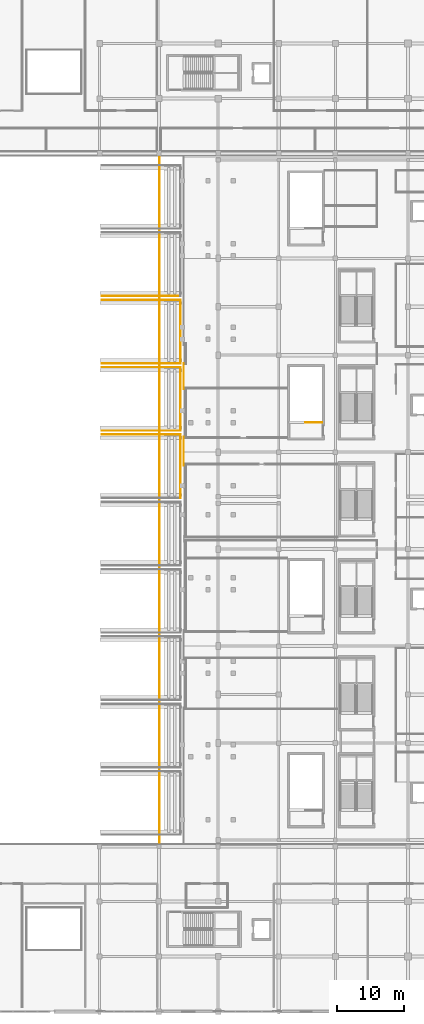
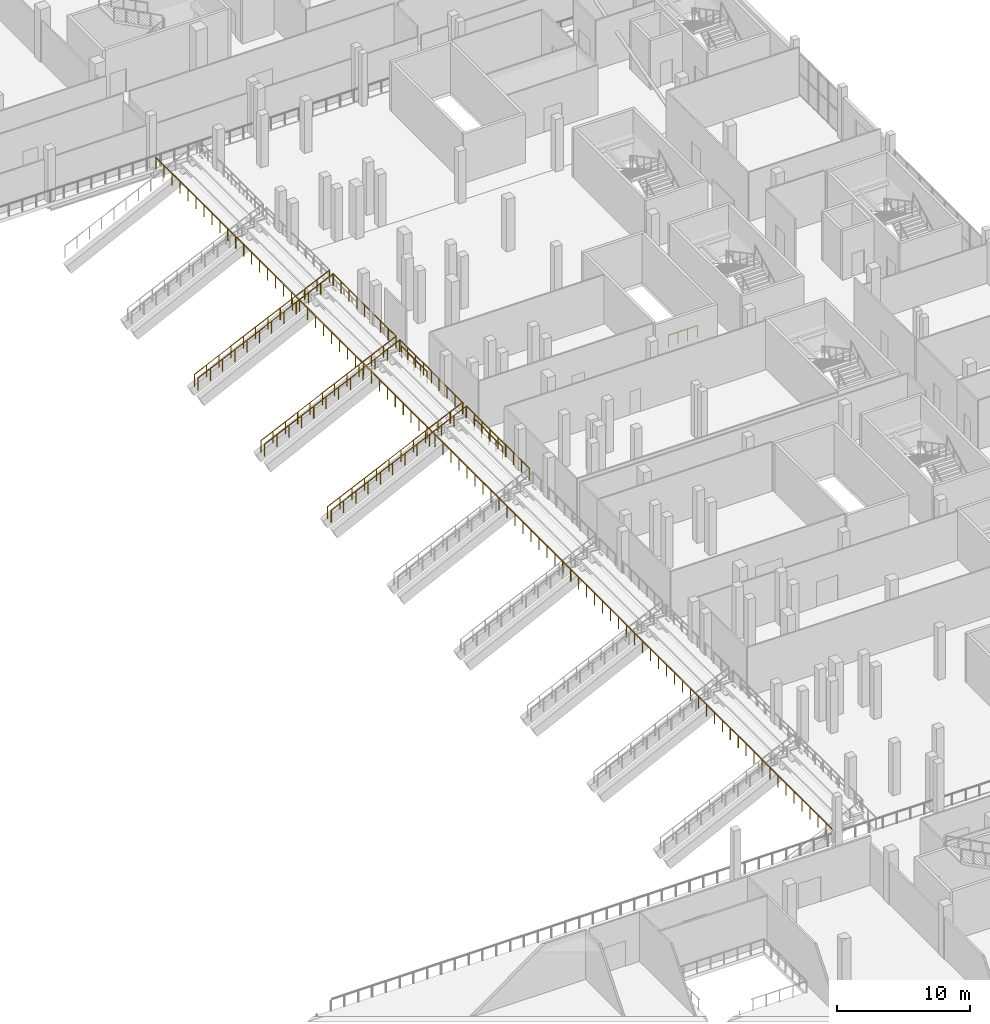
# One storey, part 119 of 129: 14 railings.
"""IFC4 building model written with IfcOpenShell, lengths in metres."""

import ifcopenshell
import ifcopenshell.guid

model = None  # the IFC model being written
_history = None  # IfcOwnerHistory: only IFC2X3 demands one
_inside = {}  # id of a spatial element -> (the spatial element, [elements in it])
_under = {}  # id of a project, library or spatial element -> (it, [spatial elements below it])
_declared = {}  # id of a project -> (the project, [libraries it declares])
_typed = {}  # id of a type object -> (the type object, [elements of that type])
_made_of = {}  # id of a material, layer set ... -> (it, [elements and type objects made of it])


def new_model(schema):
    """Start an empty IFC model of exactly this schema.

    Asked for "IFC4X3", IfcOpenShell would pick the latest addendum, in which some entities
    have other attributes; the version numbers below select the first issue.
    IFC2X3 requires an IfcOwnerHistory on every rooted entity: one is made here for all.
    """
    global model, _history
    if schema == "IFC4X3":
        model = ifcopenshell.file(schema_version=(4, 3, 0, 0))
    else:
        model = ifcopenshell.file(schema=schema)
    _inside.clear()
    _under.clear()
    _declared.clear()
    _typed.clear()
    _made_of.clear()
    _history = None
    if model.schema == "IFC2X3":
        org = make("IfcOrganization", Name="unknown")
        user = make(
            "IfcPersonAndOrganization",
            ThePerson=make("IfcPerson", FamilyName="unknown"),
            TheOrganization=org,
        )
        app = make(
            "IfcApplication",
            ApplicationDeveloper=org,
            Version="unknown",
            ApplicationFullName="unknown",
            ApplicationIdentifier="unknown",
        )
        _history = make(
            "IfcOwnerHistory",
            OwningUser=user,
            OwningApplication=app,
            ChangeAction="ADDED",
            CreationDate=0,
        )
    return model


def make(cls, **values):
    """One entity of the class cls with the attributes given. An attribute that is None is left unset."""
    return model.create_entity(
        cls, **{name: value for name, value in values.items() if value is not None}
    )


def rooted(cls, **values):
    """An entity with a GlobalId (a new one), such as an element, a storey or a relation."""
    return make(cls, GlobalId=ifcopenshell.guid.new(), OwnerHistory=_history, **values)


def si_unit(unit_type, name, prefix=None):
    """IfcSIUnit, for example si_unit("LENGTHUNIT", "METRE", prefix="MILLI")."""
    return make("IfcSIUnit", UnitType=unit_type, Prefix=prefix, Name=name)


def assignment(units):
    """IfcUnitAssignment: the units of a project."""
    return None if units is None else make("IfcUnitAssignment", Units=units)


def point(xyz):
    """IfcCartesianPoint."""
    return None if xyz is None else make("IfcCartesianPoint", Coordinates=xyz)


def direction(xyz):
    """IfcDirection."""
    return None if xyz is None else make("IfcDirection", DirectionRatios=xyz)


def frame(location, z_axis=None, x_axis=None):
    """IfcAxis2Placement3D, a coordinate frame: its origin and axes. An axis left out is left unset."""
    return make(
        "IfcAxis2Placement3D",
        Location=point(location),
        Axis=direction(z_axis),
        RefDirection=direction(x_axis),
    )


def frame_2d(location, x_axis=None):
    """IfcAxis2Placement2D, a coordinate frame in the plane: its origin and x axis."""
    return make(
        "IfcAxis2Placement2D", Location=point(location), RefDirection=direction(x_axis)
    )


def origin():
    """The frame at (0, 0, 0) with its axes left unset."""
    return frame((0.0, 0.0, 0.0))


def origin_2d():
    """The frame at (0, 0) in the plane with its x axis left unset."""
    return frame_2d((0.0, 0.0))


def place(relative_to, where):
    """IfcLocalPlacement: puts the frame where relative to a parent placement (None: the world)."""
    return make(
        "IfcLocalPlacement", PlacementRelTo=relative_to, RelativePlacement=where
    )


def context(
    kind, dimensions, precision=None, world=None, true_north=None, identifier=None
):
    """IfcGeometricRepresentationContext, for example the 3D "Model" context."""
    return make(
        "IfcGeometricRepresentationContext",
        ContextIdentifier=identifier,
        ContextType=kind,
        CoordinateSpaceDimension=dimensions,
        Precision=precision,
        WorldCoordinateSystem=world,
        TrueNorth=true_north,
    )


def subcontext(parent, identifier, kind, view, scale=None):
    """IfcGeometricRepresentationSubContext, for example "Body" below "Model"."""
    return make(
        "IfcGeometricRepresentationSubContext",
        ContextIdentifier=identifier,
        ContextType=kind,
        ParentContext=parent,
        TargetScale=scale,
        TargetView=view,
    )


def project(units=None, contexts=None):
    """IfcProject with its units and contexts."""
    return rooted(
        "IfcProject",
        Name="project",
        RepresentationContexts=contexts,
        UnitsInContext=assignment(units),
    )


def spatial(cls, under=None, at=None, **own):
    """A site, building, storey or space (cls), placed at a placement, below another one or the project."""
    s = rooted(cls, ObjectPlacement=at, **own)
    if under is not None:
        _under.setdefault(under.id(), (under, []))[1].append(s)
    return s


def profile(cls, at=None, kind="AREA", **sizes):
    """A parametric profile (cls). Its sizes go by their IFC names, for example OverallWidth=200.0."""
    return make(cls, ProfileType=kind, Position=at, **sizes)


def circle(**sizes):
    """IfcCircleProfileDef."""
    return profile("IfcCircleProfileDef", **sizes)


def extrude(swept, where, along, depth):
    """IfcExtrudedAreaSolid: the profile swept, set in the frame where, extruded along a direction by depth."""
    return make(
        "IfcExtrudedAreaSolid",
        SweptArea=swept,
        Position=where,
        ExtrudedDirection=direction(along),
        Depth=depth,
    )


def shape(context_of_items, identifier, shape_type, items):
    """IfcShapeRepresentation: the items that make up one representation, for example the "Body"."""
    return make(
        "IfcShapeRepresentation",
        ContextOfItems=context_of_items,
        RepresentationIdentifier=identifier,
        RepresentationType=shape_type,
        Items=items,
    )


def material(Name=None, Category=None):
    """IfcMaterial."""
    return make("IfcMaterial", Name=Name, Category=Category)


def made_of(thing, what):
    """Note that an element or type object is made of a material, layer set ...; save() writes the relation."""
    if what is not None:
        _made_of.setdefault(what.id(), (what, []))[1].append(thing)
    return thing


def type_object(cls, material=None, **own):
    """A type object (cls), such as IfcWallType, which elements share."""
    return made_of(rooted(cls, **own), material)


def element(
    cls,
    number,
    at=None,
    inside=None,
    cuts=None,
    type_object=None,
    material=None,
    context=None,
    identifier="Body",
    shape_type=None,
    held_by="IfcProductDefinitionShape",
    body=None,
    shapes=None,
    **own,
):
    """One element of the class cls, such as IfcWall. Its Tag is "e" and its number.

    at: its placement. inside: the storey or other place that contains it. cuts: it is an
    opening in that element (IfcRelVoidsElement). A single representation is given by context,
    identifier, shape_type and body (its items); several are given by shapes. held_by: the class
    of the entity that holds the representations. save() writes the other relations.
    """
    e = rooted(cls, Tag="e%d" % number, ObjectPlacement=at, **own)
    if body is not None:
        shapes = [shape(context, identifier, shape_type, body)]
    if shapes is not None:
        e.Representation = make(held_by, Representations=shapes)
    if inside is not None:
        _inside.setdefault(inside.id(), (inside, []))[1].append(e)
    if cuts is not None:
        rooted(
            "IfcRelVoidsElement", RelatingBuildingElement=cuts, RelatedOpeningElement=e
        )
    if type_object is not None:
        _typed.setdefault(type_object.id(), (type_object, []))[1].append(e)
    return made_of(e, material)


def aggregate(whole, parts):
    """IfcRelAggregates: a whole, such as a stair, and the parts it consists of."""
    return rooted("IfcRelAggregates", RelatingObject=whole, RelatedObjects=parts)


def save(model, path):
    """Write the relations noted so far, then the file.

    IfcRelAggregates (storeys below a building ...), IfcRelContainedInSpatialStructure (elements
    in a storey), IfcRelDefinesByType, IfcRelAssociatesMaterial and IfcRelDeclares: one each for
    every whole, place, type object, material and project.
    """
    for whole, parts in _under.values():
        aggregate(whole, parts)
    for where, things in _inside.values():
        rooted(
            "IfcRelContainedInSpatialStructure",
            RelatedElements=things,
            RelatingStructure=where,
        )
    for kind, things in _typed.values():
        rooted("IfcRelDefinesByType", RelatedObjects=things, RelatingType=kind)
    for what, things in _made_of.values():
        rooted("IfcRelAssociatesMaterial", RelatedObjects=things, RelatingMaterial=what)
    for by, libraries in _declared.values():
        rooted("IfcRelDeclares", RelatingContext=by, RelatedDefinitions=libraries)
    model.write(path)


model = new_model("IFC4")

# Units and contexts
model_context = context("Model", 3, precision=1e-05, world=origin(), true_north=direction((0.0, 1.0)))
body_context = subcontext(model_context, "Body", "Model", "MODEL_VIEW")
ifc_project = project(units=[si_unit("LENGTHUNIT", "METRE"), si_unit("AREAUNIT", "SQUARE_METRE"), si_unit("VOLUMEUNIT", "CUBIC_METRE"), si_unit("PLANEANGLEUNIT", "RADIAN"), si_unit("MASSUNIT", "GRAM", prefix="KILO")], contexts=[model_context])

# Site, building, storey
site_placement = place(None, origin())
site = spatial("IfcSite", under=ifc_project, at=site_placement, CompositionType="ELEMENT")
building_placement = place(site_placement, origin())
building = spatial("IfcBuilding", under=site, at=building_placement, Name="Koshinbarg Plaza Stadium", CompositionType="ELEMENT")
storey_placement = place(building_placement, frame((0.0, 0.0, 5.39990234375)))
storey = spatial("IfcBuildingStorey", under=building, at=storey_placement, Name="L01", CompositionType="ELEMENT", Elevation=5.39990234375)

# Railings
ifc_material_1 = material(Name="Toughened laminated glass and stainless steel sightline balustrade", Category="steel")
railing_type_1 = type_object("IfcRailingType", Name="RL-BOWL-1100", PredefinedType="BALUSTRADE", material=ifc_material_1)
railing_1_placement = place(storey_placement, frame((171.679931640625, 25.10009765625, 0.0)))
element("IfcRailing", 1, at=railing_1_placement, inside=storey, type_object=railing_type_1, Name="L01 bowl concourse sightline balustrade 0017", PredefinedType="BALUSTRADE", context=body_context, shape_type="SweptSolid", body=[
    extrude(circle(Radius=0.02392578125, at=origin_2d()), frame((0.0, 0.0, 1.076171875), z_axis=(0.0, 1.0, 0.0), x_axis=(-1.0, 0.0, 0.0)), (0.0, 0.0, 1.0), 101.7998046875),
    extrude(circle(Radius=0.02099609375, at=origin_2d()), origin(), (0.0, 0.0, 1.0), 1.052001953125),
    extrude(circle(Radius=0.02099609375, at=origin_2d()), frame((0.0, 1.19775390625, 0.0)), (0.0, 0.0, 1.0), 1.052001953125),
    extrude(circle(Radius=0.02099609375, at=origin_2d()), frame((0.0, 2.395263671875, 0.0)), (0.0, 0.0, 1.0), 1.052001953125),
    extrude(circle(Radius=0.02099609375, at=origin_2d()), frame((0.0, 3.593017578125, 0.0)), (0.0, 0.0, 1.0), 1.052001953125),
    extrude(circle(Radius=0.02099609375, at=origin_2d()), frame((0.0, 4.79052734375, 0.0)), (0.0, 0.0, 1.0), 1.052001953125),
    extrude(circle(Radius=0.02099609375, at=origin_2d()), frame((0.0, 5.98828125, 0.0)), (0.0, 0.0, 1.0), 1.052001953125),
    extrude(circle(Radius=0.02099609375, at=origin_2d()), frame((0.0, 7.185791015625, 0.0)), (0.0, 0.0, 1.0), 1.052001953125),
    extrude(circle(Radius=0.02099609375, at=origin_2d()), frame((0.0, 8.383544921875, 0.0)), (0.0, 0.0, 1.0), 1.052001953125),
    extrude(circle(Radius=0.02099609375, at=origin_2d()), frame((0.0, 9.5810546875, 0.0)), (0.0, 0.0, 1.0), 1.052001953125),
    extrude(circle(Radius=0.02099609375, at=origin_2d()), frame((0.0, 10.77880859375, 0.0)), (0.0, 0.0, 1.0), 1.052001953125),
    extrude(circle(Radius=0.02099609375, at=origin_2d()), frame((0.0, 11.9765625, 0.0)), (0.0, 0.0, 1.0), 1.052001953125),
    extrude(circle(Radius=0.02099609375, at=origin_2d()), frame((0.0, 13.174072265625, 0.0)), (0.0, 0.0, 1.0), 1.052001953125),
    extrude(circle(Radius=0.02099609375, at=origin_2d()), frame((0.0, 14.371826171875, 0.0)), (0.0, 0.0, 1.0), 1.052001953125),
    extrude(circle(Radius=0.02099609375, at=origin_2d()), frame((0.0, 15.5693359375, 0.0)), (0.0, 0.0, 1.0), 1.052001953125),
    extrude(circle(Radius=0.02099609375, at=origin_2d()), frame((0.0, 16.76708984375, 0.0)), (0.0, 0.0, 1.0), 1.052001953125),
    extrude(circle(Radius=0.02099609375, at=origin_2d()), frame((0.0, 17.964599609375, 0.0)), (0.0, 0.0, 1.0), 1.052001953125),
    extrude(circle(Radius=0.02099609375, at=origin_2d()), frame((0.0, 19.162353515625, 0.0)), (0.0, 0.0, 1.0), 1.052001953125),
    extrude(circle(Radius=0.02099609375, at=origin_2d()), frame((0.0, 20.35986328125, 0.0)), (0.0, 0.0, 1.0), 1.052001953125),
    extrude(circle(Radius=0.02099609375, at=origin_2d()), frame((0.0, 21.5576171875, 0.0)), (0.0, 0.0, 1.0), 1.052001953125),
    extrude(circle(Radius=0.02099609375, at=origin_2d()), frame((0.0, 22.75537109375, 0.0)), (0.0, 0.0, 1.0), 1.052001953125),
    extrude(circle(Radius=0.02099609375, at=origin_2d()), frame((0.0, 23.952880859375, 0.0)), (0.0, 0.0, 1.0), 1.052001953125),
    extrude(circle(Radius=0.02099609375, at=origin_2d()), frame((0.0, 25.150634765625, 0.0)), (0.0, 0.0, 1.0), 1.052001953125),
    extrude(circle(Radius=0.02099609375, at=origin_2d()), frame((0.0, 26.34814453125, 0.0)), (0.0, 0.0, 1.0), 1.052001953125),
    extrude(circle(Radius=0.02099609375, at=origin_2d()), frame((0.0, 27.5458984375, 0.0)), (0.0, 0.0, 1.0), 1.052001953125),
    extrude(circle(Radius=0.02099609375, at=origin_2d()), frame((0.0, 28.743408203125, 0.0)), (0.0, 0.0, 1.0), 1.052001953125),
    extrude(circle(Radius=0.02099609375, at=origin_2d()), frame((0.0, 29.941162109375, 0.0)), (0.0, 0.0, 1.0), 1.052001953125),
    extrude(circle(Radius=0.02099609375, at=origin_2d()), frame((0.0, 31.138671875, 0.0)), (0.0, 0.0, 1.0), 1.052001953125),
    extrude(circle(Radius=0.02099609375, at=origin_2d()), frame((0.0, 32.33642578125, 0.0)), (0.0, 0.0, 1.0), 1.052001953125),
    extrude(circle(Radius=0.02099609375, at=origin_2d()), frame((0.0, 33.533935546875, 0.0)), (0.0, 0.0, 1.0), 1.052001953125),
    extrude(circle(Radius=0.02099609375, at=origin_2d()), frame((0.0, 34.731689453125, 0.0)), (0.0, 0.0, 1.0), 1.052001953125),
    extrude(circle(Radius=0.02099609375, at=origin_2d()), frame((0.0, 35.929443359375, 0.0)), (0.0, 0.0, 1.0), 1.052001953125),
    extrude(circle(Radius=0.02099609375, at=origin_2d()), frame((0.0, 37.126953125, 0.0)), (0.0, 0.0, 1.0), 1.052001953125),
    extrude(circle(Radius=0.02099609375, at=origin_2d()), frame((0.0, 38.32470703125, 0.0)), (0.0, 0.0, 1.0), 1.052001953125),
    extrude(circle(Radius=0.02099609375, at=origin_2d()), frame((0.0, 39.522216796875, 0.0)), (0.0, 0.0, 1.0), 1.052001953125),
    extrude(circle(Radius=0.02099609375, at=origin_2d()), frame((0.0, 40.719970703125, 0.0)), (0.0, 0.0, 1.0), 1.052001953125),
    extrude(circle(Radius=0.02099609375, at=origin_2d()), frame((0.0, 41.91748046875, 0.0)), (0.0, 0.0, 1.0), 1.052001953125),
    extrude(circle(Radius=0.02099609375, at=origin_2d()), frame((0.0, 43.115234375, 0.0)), (0.0, 0.0, 1.0), 1.052001953125),
    extrude(circle(Radius=0.02099609375, at=origin_2d()), frame((0.0, 44.312744140625, 0.0)), (0.0, 0.0, 1.0), 1.052001953125),
    extrude(circle(Radius=0.02099609375, at=origin_2d()), frame((0.0, 45.510498046875, 0.0)), (0.0, 0.0, 1.0), 1.052001953125),
    extrude(circle(Radius=0.02099609375, at=origin_2d()), frame((0.0, 46.708251953125, 0.0)), (0.0, 0.0, 1.0), 1.052001953125),
    extrude(circle(Radius=0.02099609375, at=origin_2d()), frame((0.0, 47.90576171875, 0.0)), (0.0, 0.0, 1.0), 1.052001953125),
    extrude(circle(Radius=0.02099609375, at=origin_2d()), frame((0.0, 49.103515625, 0.0)), (0.0, 0.0, 1.0), 1.052001953125),
    extrude(circle(Radius=0.02099609375, at=origin_2d()), frame((0.0, 50.301025390625, 0.0)), (0.0, 0.0, 1.0), 1.052001953125),
    extrude(circle(Radius=0.02099609375, at=origin_2d()), frame((0.0, 51.498779296875, 0.0)), (0.0, 0.0, 1.0), 1.052001953125),
    extrude(circle(Radius=0.02099609375, at=origin_2d()), frame((0.0, 52.6962890625, 0.0)), (0.0, 0.0, 1.0), 1.052001953125),
    extrude(circle(Radius=0.02099609375, at=origin_2d()), frame((0.0, 53.89404296875, 0.0)), (0.0, 0.0, 1.0), 1.052001953125),
    extrude(circle(Radius=0.02099609375, at=origin_2d()), frame((0.0, 55.091552734375, 0.0)), (0.0, 0.0, 1.0), 1.052001953125),
    extrude(circle(Radius=0.02099609375, at=origin_2d()), frame((0.0, 56.289306640625, 0.0)), (0.0, 0.0, 1.0), 1.052001953125),
    extrude(circle(Radius=0.02099609375, at=origin_2d()), frame((0.0, 57.487060546875, 0.0)), (0.0, 0.0, 1.0), 1.052001953125),
    extrude(circle(Radius=0.02099609375, at=origin_2d()), frame((0.0, 58.6845703125, 0.0)), (0.0, 0.0, 1.0), 1.052001953125),
    extrude(circle(Radius=0.02099609375, at=origin_2d()), frame((0.0, 59.88232421875, 0.0)), (0.0, 0.0, 1.0), 1.052001953125),
    extrude(circle(Radius=0.02099609375, at=origin_2d()), frame((0.0, 61.079833984375, 0.0)), (0.0, 0.0, 1.0), 1.052001953125),
    extrude(circle(Radius=0.02099609375, at=origin_2d()), frame((0.0, 62.277587890625, 0.0)), (0.0, 0.0, 1.0), 1.052001953125),
    extrude(circle(Radius=0.02099609375, at=origin_2d()), frame((0.0, 63.47509765625, 0.0)), (0.0, 0.0, 1.0), 1.052001953125),
    extrude(circle(Radius=0.02099609375, at=origin_2d()), frame((0.0, 64.6728515625, 0.0)), (0.0, 0.0, 1.0), 1.052001953125),
    extrude(circle(Radius=0.02099609375, at=origin_2d()), frame((0.0, 65.870361328125, 0.0)), (0.0, 0.0, 1.0), 1.052001953125),
    extrude(circle(Radius=0.02099609375, at=origin_2d()), frame((0.0, 67.068115234375, 0.0)), (0.0, 0.0, 1.0), 1.052001953125),
    extrude(circle(Radius=0.02099609375, at=origin_2d()), frame((0.0, 68.265869140625, 0.0)), (0.0, 0.0, 1.0), 1.052001953125),
    extrude(circle(Radius=0.02099609375, at=origin_2d()), frame((0.0, 69.46337890625, 0.0)), (0.0, 0.0, 1.0), 1.052001953125),
    extrude(circle(Radius=0.02099609375, at=origin_2d()), frame((0.0, 70.6611328125, 0.0)), (0.0, 0.0, 1.0), 1.052001953125),
    extrude(circle(Radius=0.02099609375, at=origin_2d()), frame((0.0, 71.858642578125, 0.0)), (0.0, 0.0, 1.0), 1.052001953125),
    extrude(circle(Radius=0.02099609375, at=origin_2d()), frame((0.0, 73.056396484375, 0.0)), (0.0, 0.0, 1.0), 1.052001953125),
    extrude(circle(Radius=0.02099609375, at=origin_2d()), frame((0.0, 74.25390625, 0.0)), (0.0, 0.0, 1.0), 1.052001953125),
    extrude(circle(Radius=0.02099609375, at=origin_2d()), frame((0.0, 75.45166015625, 0.0)), (0.0, 0.0, 1.0), 1.052001953125),
    extrude(circle(Radius=0.02099609375, at=origin_2d()), frame((0.0, 76.649169921875, 0.0)), (0.0, 0.0, 1.0), 1.052001953125),
    extrude(circle(Radius=0.02099609375, at=origin_2d()), frame((0.0, 77.846923828125, 0.0)), (0.0, 0.0, 1.0), 1.052001953125),
    extrude(circle(Radius=0.02099609375, at=origin_2d()), frame((0.0, 79.04443359375, 0.0)), (0.0, 0.0, 1.0), 1.052001953125),
    extrude(circle(Radius=0.02099609375, at=origin_2d()), frame((0.0, 80.2421875, 0.0)), (0.0, 0.0, 1.0), 1.052001953125),
    extrude(circle(Radius=0.02099609375, at=origin_2d()), frame((0.0, 81.43994140625, 0.0)), (0.0, 0.0, 1.0), 1.052001953125),
    extrude(circle(Radius=0.02099609375, at=origin_2d()), frame((0.0, 82.637451171875, 0.0)), (0.0, 0.0, 1.0), 1.052001953125),
    extrude(circle(Radius=0.02099609375, at=origin_2d()), frame((0.0, 83.835205078125, 0.0)), (0.0, 0.0, 1.0), 1.052001953125),
    extrude(circle(Radius=0.02099609375, at=origin_2d()), frame((0.0, 85.03271484375, 0.0)), (0.0, 0.0, 1.0), 1.052001953125),
    extrude(circle(Radius=0.02099609375, at=origin_2d()), frame((0.0, 86.23046875, 0.0)), (0.0, 0.0, 1.0), 1.052001953125),
    extrude(circle(Radius=0.02099609375, at=origin_2d()), frame((0.0, 87.427978515625, 0.0)), (0.0, 0.0, 1.0), 1.052001953125),
    extrude(circle(Radius=0.02099609375, at=origin_2d()), frame((0.0, 88.625732421875, 0.0)), (0.0, 0.0, 1.0), 1.052001953125),
    extrude(circle(Radius=0.02099609375, at=origin_2d()), frame((0.0, 89.8232421875, 0.0)), (0.0, 0.0, 1.0), 1.052001953125),
    extrude(circle(Radius=0.02099609375, at=origin_2d()), frame((0.0, 91.02099609375, 0.0)), (0.0, 0.0, 1.0), 1.052001953125),
    extrude(circle(Radius=0.02099609375, at=origin_2d()), frame((0.0, 92.21875, 0.0)), (0.0, 0.0, 1.0), 1.052001953125),
    extrude(circle(Radius=0.02099609375, at=origin_2d()), frame((0.0, 93.416259765625, 0.0)), (0.0, 0.0, 1.0), 1.052001953125),
    extrude(circle(Radius=0.02099609375, at=origin_2d()), frame((0.0, 94.614013671875, 0.0)), (0.0, 0.0, 1.0), 1.052001953125),
    extrude(circle(Radius=0.02099609375, at=origin_2d()), frame((0.0, 95.8115234375, 0.0)), (0.0, 0.0, 1.0), 1.052001953125),
    extrude(circle(Radius=0.02099609375, at=origin_2d()), frame((0.0, 97.00927734375, 0.0)), (0.0, 0.0, 1.0), 1.052001953125),
    extrude(circle(Radius=0.02099609375, at=origin_2d()), frame((0.0, 98.206787109375, 0.0)), (0.0, 0.0, 1.0), 1.052001953125),
    extrude(circle(Radius=0.02099609375, at=origin_2d()), frame((0.0, 99.404541015625, 0.0)), (0.0, 0.0, 1.0), 1.052001953125),
    extrude(circle(Radius=0.02099609375, at=origin_2d()), frame((0.0, 100.60205078125, 0.0)), (0.0, 0.0, 1.0), 1.052001953125),
    extrude(circle(Radius=0.02099609375, at=origin_2d()), frame((0.0, 101.7998046875, 0.0)), (0.0, 0.0, 1.0), 1.052001953125),
])
railing_2_placement = place(storey_placement, frame((175.280029296875, 81.10009765625, 0.0)))
element("IfcRailing", 2, at=railing_2_placement, inside=storey, type_object=railing_type_1, Name="L01 deck edge safety balustrade 0019", PredefinedType="BALUSTRADE", context=body_context, shape_type="SweptSolid", body=[
    extrude(circle(Radius=0.02392578125, at=origin_2d()), frame((0.0, 0.0, 1.076171875), z_axis=(0.0, 1.0, 0.0), x_axis=(-1.0, 0.0, 0.0)), (0.0, 0.0, 1.0), 2.0),
    extrude(circle(Radius=0.02099609375, at=origin_2d()), origin(), (0.0, 0.0, 1.0), 1.052001953125),
    extrude(circle(Radius=0.02099609375, at=origin_2d()), frame((0.0, 1.0, 0.0)), (0.0, 0.0, 1.0), 1.052001953125),
    extrude(circle(Radius=0.02099609375, at=origin_2d()), frame((0.0, 2.0, 0.0)), (0.0, 0.0, 1.0), 1.052001953125),
])
railing_3_placement = place(storey_placement, frame((175.280029296875, 83.10009765625, 0.0)))
element("IfcRailing", 3, at=railing_3_placement, inside=storey, type_object=railing_type_1, Name="L01 deck edge safety balustrade 0024", PredefinedType="BALUSTRADE", context=body_context, shape_type="SweptSolid", body=[
    extrude(circle(Radius=0.02392578125, at=origin_2d()), frame((0.0, 0.0, 1.076171875), z_axis=(0.0, 1.0, 0.0), x_axis=(-1.0, 0.0, 0.0)), (0.0, 0.0, 1.0), 2.2890625),
    extrude(circle(Radius=0.02099609375, at=origin_2d()), origin(), (0.0, 0.0, 1.0), 1.052001953125),
    extrude(circle(Radius=0.02099609375, at=origin_2d()), frame((0.0, 1.14453125, 0.0)), (0.0, 0.0, 1.0), 1.052001953125),
    extrude(circle(Radius=0.02099609375, at=origin_2d()), frame((0.0, 2.2890625, 0.0)), (0.0, 0.0, 1.0), 1.052001953125),
])
railing_4_placement = place(storey_placement, frame((175.280029296875, 92.4501953125, 0.0)))
element("IfcRailing", 4, at=railing_4_placement, inside=storey, type_object=railing_type_1, Name="L01 deck edge safety balustrade 0025", PredefinedType="BALUSTRADE", context=body_context, shape_type="SweptSolid", body=[
    extrude(circle(Radius=0.02392578125, at=origin_2d()), frame((0.0, 0.0, 1.076171875), z_axis=(0.0, 1.0, 0.0), x_axis=(-1.0, 0.0, 0.0)), (0.0, 0.0, 1.0), 3.832275390625),
    extrude(circle(Radius=0.02099609375, at=origin_2d()), origin(), (0.0, 0.0, 1.0), 1.052001953125),
    extrude(circle(Radius=0.02099609375, at=origin_2d()), frame((0.0, 0.9580078125, 0.0)), (0.0, 0.0, 1.0), 1.052001953125),
    extrude(circle(Radius=0.02099609375, at=origin_2d()), frame((0.0, 1.916015625, 0.0)), (0.0, 0.0, 1.0), 1.052001953125),
    extrude(circle(Radius=0.02099609375, at=origin_2d()), frame((0.0, 2.874267578125, 0.0)), (0.0, 0.0, 1.0), 1.052001953125),
    extrude(circle(Radius=0.02099609375, at=origin_2d()), frame((0.0, 3.832275390625, 0.0)), (0.0, 0.0, 1.0), 1.052001953125),
])
ifc_material_2 = material(Name="Galvanized painted steel guardrail", Category="steel")
railing_type_2 = type_object("IfcRailingType", Name="RL-GUARD-1100", PredefinedType="GUARDRAIL", material=ifc_material_2)
railing_5_placement = place(storey_placement, frame((174.820068359375, 76.280029296875, 1.080078125)))
element("IfcRailing", 5, at=railing_5_placement, inside=storey, type_object=railing_type_2, Name="LT-E06 rear stand guard", PredefinedType="GUARDRAIL", context=body_context, shape_type="SweptSolid", body=[
    extrude(circle(Radius=0.02392578125, at=origin_2d()), frame((0.0, 0.0, 1.076171875), z_axis=(0.0, 1.0, 0.0), x_axis=(-1.0, 0.0, 0.0)), (0.0, 0.0, 1.0), 9.43994140625),
    extrude(circle(Radius=0.02099609375, at=origin_2d()), origin(), (0.0, 0.0, 1.0), 1.052001953125),
    extrude(circle(Radius=0.02099609375, at=origin_2d()), frame((0.0, 1.179931640625, 0.0)), (0.0, 0.0, 1.0), 1.052001953125),
    extrude(circle(Radius=0.02099609375, at=origin_2d()), frame((0.0, 2.35986328125, 0.0)), (0.0, 0.0, 1.0), 1.052001953125),
    extrude(circle(Radius=0.02099609375, at=origin_2d()), frame((0.0, 3.5400390625, 0.0)), (0.0, 0.0, 1.0), 1.052001953125),
    extrude(circle(Radius=0.02099609375, at=origin_2d()), frame((0.0, 4.719970703125, 0.0)), (0.0, 0.0, 1.0), 1.052001953125),
    extrude(circle(Radius=0.02099609375, at=origin_2d()), frame((0.0, 5.89990234375, 0.0)), (0.0, 0.0, 1.0), 1.052001953125),
    extrude(circle(Radius=0.02099609375, at=origin_2d()), frame((0.0, 7.080078125, 0.0)), (0.0, 0.0, 1.0), 1.052001953125),
    extrude(circle(Radius=0.02099609375, at=origin_2d()), frame((0.0, 8.260009765625, 0.0)), (0.0, 0.0, 1.0), 1.052001953125),
    extrude(circle(Radius=0.02099609375, at=origin_2d()), frame((0.0, 9.43994140625, 0.0)), (0.0, 0.0, 1.0), 1.052001953125),
])
railing_6_placement = place(storey_placement, frame((163.10009765625, 85.719970703125, -4.3798828125)))
element("IfcRailing", 6, at=railing_6_placement, inside=storey, type_object=railing_type_2, Name="LT-E06 stepped aisle guard R", PredefinedType="GUARDRAIL", context=body_context, shape_type="SweptSolid", body=[
    extrude(circle(Radius=0.02392578125, at=origin_2d()), frame((0.0, 0.0, 1.076171875), z_axis=(0.906183623075, 0.0, 0.422884430158), x_axis=(0.0, 1.0, 0.0)), (0.0, 0.0, 1.0), 12.9111328125),
    extrude(circle(Radius=0.02099609375, at=origin_2d()), origin(), (0.0, 0.0, 1.0), 1.052001953125),
    extrude(circle(Radius=0.02099609375, at=origin_2d()), frame((1.063720703125, 0.0, 0.496337890625)), (0.0, 0.0, 1.0), 1.052001953125),
    extrude(circle(Radius=0.02099609375, at=origin_2d()), frame((2.127197265625, 0.0, 0.99267578125)), (0.0, 0.0, 1.0), 1.052001953125),
    extrude(circle(Radius=0.02099609375, at=origin_2d()), frame((3.19091796875, 0.0, 1.489013671875)), (0.0, 0.0, 1.0), 1.052001953125),
    extrude(circle(Radius=0.02099609375, at=origin_2d()), frame((4.254638671875, 0.0, 1.9853515625)), (0.0, 0.0, 1.0), 1.052001953125),
    extrude(circle(Radius=0.02099609375, at=origin_2d()), frame((5.318115234375, 0.0, 2.481689453125)), (0.0, 0.0, 1.0), 1.052001953125),
    extrude(circle(Radius=0.02099609375, at=origin_2d()), frame((6.3818359375, 0.0, 2.978271484375)), (0.0, 0.0, 1.0), 1.052001953125),
    extrude(circle(Radius=0.02099609375, at=origin_2d()), frame((7.4453125, 0.0, 3.474609375)), (0.0, 0.0, 1.0), 1.052001953125),
    extrude(circle(Radius=0.02099609375, at=origin_2d()), frame((8.509033203125, 0.0, 3.970947265625)), (0.0, 0.0, 1.0), 1.052001953125),
    extrude(circle(Radius=0.02099609375, at=origin_2d()), frame((9.57275390625, 0.0, 4.46728515625)), (0.0, 0.0, 1.0), 1.052001953125),
    extrude(circle(Radius=0.02099609375, at=origin_2d()), frame((10.63623046875, 0.0, 4.963623046875)), (0.0, 0.0, 1.0), 1.052001953125),
    extrude(circle(Radius=0.02099609375, at=origin_2d()), frame((11.699951171875, 0.0, 5.4599609375)), (0.0, 0.0, 1.0), 1.052001953125),
])
railing_7_placement = place(storey_placement, frame((174.820068359375, 86.280029296875, 1.080078125)))
element("IfcRailing", 7, at=railing_7_placement, inside=storey, type_object=railing_type_2, Name="LT-E07 rear stand guard", PredefinedType="GUARDRAIL", context=body_context, shape_type="SweptSolid", body=[
    extrude(circle(Radius=0.02392578125, at=origin_2d()), frame((0.0, 0.0, 1.076171875), z_axis=(0.0, 1.0, 0.0), x_axis=(-1.0, 0.0, 0.0)), (0.0, 0.0, 1.0), 9.43994140625),
    extrude(circle(Radius=0.02099609375, at=origin_2d()), origin(), (0.0, 0.0, 1.0), 1.052001953125),
    extrude(circle(Radius=0.02099609375, at=origin_2d()), frame((0.0, 1.179931640625, 0.0)), (0.0, 0.0, 1.0), 1.052001953125),
    extrude(circle(Radius=0.02099609375, at=origin_2d()), frame((0.0, 2.35986328125, 0.0)), (0.0, 0.0, 1.0), 1.052001953125),
    extrude(circle(Radius=0.02099609375, at=origin_2d()), frame((0.0, 3.5400390625, 0.0)), (0.0, 0.0, 1.0), 1.052001953125),
    extrude(circle(Radius=0.02099609375, at=origin_2d()), frame((0.0, 4.719970703125, 0.0)), (0.0, 0.0, 1.0), 1.052001953125),
    extrude(circle(Radius=0.02099609375, at=origin_2d()), frame((0.0, 5.89990234375, 0.0)), (0.0, 0.0, 1.0), 1.052001953125),
    extrude(circle(Radius=0.02099609375, at=origin_2d()), frame((0.0, 7.080078125, 0.0)), (0.0, 0.0, 1.0), 1.052001953125),
    extrude(circle(Radius=0.02099609375, at=origin_2d()), frame((0.0, 8.260009765625, 0.0)), (0.0, 0.0, 1.0), 1.052001953125),
    extrude(circle(Radius=0.02099609375, at=origin_2d()), frame((0.0, 9.43994140625, 0.0)), (0.0, 0.0, 1.0), 1.052001953125),
])
railing_8_placement = place(storey_placement, frame((163.10009765625, 86.280029296875, -4.3798828125)))
element("IfcRailing", 8, at=railing_8_placement, inside=storey, type_object=railing_type_2, Name="LT-E07 stepped aisle guard L", PredefinedType="GUARDRAIL", context=body_context, shape_type="SweptSolid", body=[
    extrude(circle(Radius=0.02392578125, at=origin_2d()), frame((0.0, 0.0, 1.076171875), z_axis=(0.906183623075, 0.0, 0.422884430158), x_axis=(0.0, 1.0, 0.0)), (0.0, 0.0, 1.0), 12.9111328125),
    extrude(circle(Radius=0.02099609375, at=origin_2d()), origin(), (0.0, 0.0, 1.0), 1.052001953125),
    extrude(circle(Radius=0.02099609375, at=origin_2d()), frame((1.063720703125, 0.0, 0.496337890625)), (0.0, 0.0, 1.0), 1.052001953125),
    extrude(circle(Radius=0.02099609375, at=origin_2d()), frame((2.127197265625, 0.0, 0.99267578125)), (0.0, 0.0, 1.0), 1.052001953125),
    extrude(circle(Radius=0.02099609375, at=origin_2d()), frame((3.19091796875, 0.0, 1.489013671875)), (0.0, 0.0, 1.0), 1.052001953125),
    extrude(circle(Radius=0.02099609375, at=origin_2d()), frame((4.254638671875, 0.0, 1.9853515625)), (0.0, 0.0, 1.0), 1.052001953125),
    extrude(circle(Radius=0.02099609375, at=origin_2d()), frame((5.318115234375, 0.0, 2.481689453125)), (0.0, 0.0, 1.0), 1.052001953125),
    extrude(circle(Radius=0.02099609375, at=origin_2d()), frame((6.3818359375, 0.0, 2.978271484375)), (0.0, 0.0, 1.0), 1.052001953125),
    extrude(circle(Radius=0.02099609375, at=origin_2d()), frame((7.4453125, 0.0, 3.474609375)), (0.0, 0.0, 1.0), 1.052001953125),
    extrude(circle(Radius=0.02099609375, at=origin_2d()), frame((8.509033203125, 0.0, 3.970947265625)), (0.0, 0.0, 1.0), 1.052001953125),
    extrude(circle(Radius=0.02099609375, at=origin_2d()), frame((9.57275390625, 0.0, 4.46728515625)), (0.0, 0.0, 1.0), 1.052001953125),
    extrude(circle(Radius=0.02099609375, at=origin_2d()), frame((10.63623046875, 0.0, 4.963623046875)), (0.0, 0.0, 1.0), 1.052001953125),
    extrude(circle(Radius=0.02099609375, at=origin_2d()), frame((11.699951171875, 0.0, 5.4599609375)), (0.0, 0.0, 1.0), 1.052001953125),
])
railing_9_placement = place(storey_placement, frame((163.10009765625, 95.719970703125, -4.3798828125)))
element("IfcRailing", 9, at=railing_9_placement, inside=storey, type_object=railing_type_2, Name="LT-E07 stepped aisle guard R", PredefinedType="GUARDRAIL", context=body_context, shape_type="SweptSolid", body=[
    extrude(circle(Radius=0.02392578125, at=origin_2d()), frame((0.0, 0.0, 1.076171875), z_axis=(0.906183623075, 0.0, 0.422884430158), x_axis=(0.0, 1.0, 0.0)), (0.0, 0.0, 1.0), 12.9111328125),
    extrude(circle(Radius=0.02099609375, at=origin_2d()), origin(), (0.0, 0.0, 1.0), 1.052001953125),
    extrude(circle(Radius=0.02099609375, at=origin_2d()), frame((1.063720703125, 0.0, 0.496337890625)), (0.0, 0.0, 1.0), 1.052001953125),
    extrude(circle(Radius=0.02099609375, at=origin_2d()), frame((2.127197265625, 0.0, 0.99267578125)), (0.0, 0.0, 1.0), 1.052001953125),
    extrude(circle(Radius=0.02099609375, at=origin_2d()), frame((3.19091796875, 0.0, 1.489013671875)), (0.0, 0.0, 1.0), 1.052001953125),
    extrude(circle(Radius=0.02099609375, at=origin_2d()), frame((4.254638671875, 0.0, 1.9853515625)), (0.0, 0.0, 1.0), 1.052001953125),
    extrude(circle(Radius=0.02099609375, at=origin_2d()), frame((5.318115234375, 0.0, 2.481689453125)), (0.0, 0.0, 1.0), 1.052001953125),
    extrude(circle(Radius=0.02099609375, at=origin_2d()), frame((6.3818359375, 0.0, 2.978271484375)), (0.0, 0.0, 1.0), 1.052001953125),
    extrude(circle(Radius=0.02099609375, at=origin_2d()), frame((7.4453125, 0.0, 3.474609375)), (0.0, 0.0, 1.0), 1.052001953125),
    extrude(circle(Radius=0.02099609375, at=origin_2d()), frame((8.509033203125, 0.0, 3.970947265625)), (0.0, 0.0, 1.0), 1.052001953125),
    extrude(circle(Radius=0.02099609375, at=origin_2d()), frame((9.57275390625, 0.0, 4.46728515625)), (0.0, 0.0, 1.0), 1.052001953125),
    extrude(circle(Radius=0.02099609375, at=origin_2d()), frame((10.63623046875, 0.0, 4.963623046875)), (0.0, 0.0, 1.0), 1.052001953125),
    extrude(circle(Radius=0.02099609375, at=origin_2d()), frame((11.699951171875, 0.0, 5.4599609375)), (0.0, 0.0, 1.0), 1.052001953125),
])
railing_10_placement = place(storey_placement, frame((174.820068359375, 96.280029296875, 1.080078125)))
element("IfcRailing", 10, at=railing_10_placement, inside=storey, type_object=railing_type_2, Name="LT-E08 rear stand guard", PredefinedType="GUARDRAIL", context=body_context, shape_type="SweptSolid", body=[
    extrude(circle(Radius=0.02392578125, at=origin_2d()), frame((0.0, 0.0, 1.076171875), z_axis=(0.0, 1.0, 0.0), x_axis=(-1.0, 0.0, 0.0)), (0.0, 0.0, 1.0), 9.43994140625),
    extrude(circle(Radius=0.02099609375, at=origin_2d()), origin(), (0.0, 0.0, 1.0), 1.052001953125),
    extrude(circle(Radius=0.02099609375, at=origin_2d()), frame((0.0, 1.179931640625, 0.0)), (0.0, 0.0, 1.0), 1.052001953125),
    extrude(circle(Radius=0.02099609375, at=origin_2d()), frame((0.0, 2.35986328125, 0.0)), (0.0, 0.0, 1.0), 1.052001953125),
    extrude(circle(Radius=0.02099609375, at=origin_2d()), frame((0.0, 3.5400390625, 0.0)), (0.0, 0.0, 1.0), 1.052001953125),
    extrude(circle(Radius=0.02099609375, at=origin_2d()), frame((0.0, 4.719970703125, 0.0)), (0.0, 0.0, 1.0), 1.052001953125),
    extrude(circle(Radius=0.02099609375, at=origin_2d()), frame((0.0, 5.89990234375, 0.0)), (0.0, 0.0, 1.0), 1.052001953125),
    extrude(circle(Radius=0.02099609375, at=origin_2d()), frame((0.0, 7.080078125, 0.0)), (0.0, 0.0, 1.0), 1.052001953125),
    extrude(circle(Radius=0.02099609375, at=origin_2d()), frame((0.0, 8.260009765625, 0.0)), (0.0, 0.0, 1.0), 1.052001953125),
    extrude(circle(Radius=0.02099609375, at=origin_2d()), frame((0.0, 9.43994140625, 0.0)), (0.0, 0.0, 1.0), 1.052001953125),
])
railing_11_placement = place(storey_placement, frame((163.10009765625, 96.280029296875, -4.3798828125)))
element("IfcRailing", 11, at=railing_11_placement, inside=storey, type_object=railing_type_2, Name="LT-E08 stepped aisle guard L", PredefinedType="GUARDRAIL", context=body_context, shape_type="SweptSolid", body=[
    extrude(circle(Radius=0.02392578125, at=origin_2d()), frame((0.0, 0.0, 1.076171875), z_axis=(0.906183623075, 0.0, 0.422884430158), x_axis=(0.0, 1.0, 0.0)), (0.0, 0.0, 1.0), 12.9111328125),
    extrude(circle(Radius=0.02099609375, at=origin_2d()), origin(), (0.0, 0.0, 1.0), 1.052001953125),
    extrude(circle(Radius=0.02099609375, at=origin_2d()), frame((1.063720703125, 0.0, 0.496337890625)), (0.0, 0.0, 1.0), 1.052001953125),
    extrude(circle(Radius=0.02099609375, at=origin_2d()), frame((2.127197265625, 0.0, 0.99267578125)), (0.0, 0.0, 1.0), 1.052001953125),
    extrude(circle(Radius=0.02099609375, at=origin_2d()), frame((3.19091796875, 0.0, 1.489013671875)), (0.0, 0.0, 1.0), 1.052001953125),
    extrude(circle(Radius=0.02099609375, at=origin_2d()), frame((4.254638671875, 0.0, 1.9853515625)), (0.0, 0.0, 1.0), 1.052001953125),
    extrude(circle(Radius=0.02099609375, at=origin_2d()), frame((5.318115234375, 0.0, 2.481689453125)), (0.0, 0.0, 1.0), 1.052001953125),
    extrude(circle(Radius=0.02099609375, at=origin_2d()), frame((6.3818359375, 0.0, 2.978271484375)), (0.0, 0.0, 1.0), 1.052001953125),
    extrude(circle(Radius=0.02099609375, at=origin_2d()), frame((7.4453125, 0.0, 3.474609375)), (0.0, 0.0, 1.0), 1.052001953125),
    extrude(circle(Radius=0.02099609375, at=origin_2d()), frame((8.509033203125, 0.0, 3.970947265625)), (0.0, 0.0, 1.0), 1.052001953125),
    extrude(circle(Radius=0.02099609375, at=origin_2d()), frame((9.57275390625, 0.0, 4.46728515625)), (0.0, 0.0, 1.0), 1.052001953125),
    extrude(circle(Radius=0.02099609375, at=origin_2d()), frame((10.63623046875, 0.0, 4.963623046875)), (0.0, 0.0, 1.0), 1.052001953125),
    extrude(circle(Radius=0.02099609375, at=origin_2d()), frame((11.699951171875, 0.0, 5.4599609375)), (0.0, 0.0, 1.0), 1.052001953125),
])
railing_12_placement = place(storey_placement, frame((163.10009765625, 105.719970703125, -4.3798828125)))
element("IfcRailing", 12, at=railing_12_placement, inside=storey, type_object=railing_type_2, Name="LT-E08 stepped aisle guard R", PredefinedType="GUARDRAIL", context=body_context, shape_type="SweptSolid", body=[
    extrude(circle(Radius=0.02392578125, at=origin_2d()), frame((0.0, 0.0, 1.076171875), z_axis=(0.906183623075, 0.0, 0.422884430158), x_axis=(0.0, 1.0, 0.0)), (0.0, 0.0, 1.0), 12.9111328125),
    extrude(circle(Radius=0.02099609375, at=origin_2d()), origin(), (0.0, 0.0, 1.0), 1.052001953125),
    extrude(circle(Radius=0.02099609375, at=origin_2d()), frame((1.063720703125, 0.0, 0.496337890625)), (0.0, 0.0, 1.0), 1.052001953125),
    extrude(circle(Radius=0.02099609375, at=origin_2d()), frame((2.127197265625, 0.0, 0.99267578125)), (0.0, 0.0, 1.0), 1.052001953125),
    extrude(circle(Radius=0.02099609375, at=origin_2d()), frame((3.19091796875, 0.0, 1.489013671875)), (0.0, 0.0, 1.0), 1.052001953125),
    extrude(circle(Radius=0.02099609375, at=origin_2d()), frame((4.254638671875, 0.0, 1.9853515625)), (0.0, 0.0, 1.0), 1.052001953125),
    extrude(circle(Radius=0.02099609375, at=origin_2d()), frame((5.318115234375, 0.0, 2.481689453125)), (0.0, 0.0, 1.0), 1.052001953125),
    extrude(circle(Radius=0.02099609375, at=origin_2d()), frame((6.3818359375, 0.0, 2.978271484375)), (0.0, 0.0, 1.0), 1.052001953125),
    extrude(circle(Radius=0.02099609375, at=origin_2d()), frame((7.4453125, 0.0, 3.474609375)), (0.0, 0.0, 1.0), 1.052001953125),
    extrude(circle(Radius=0.02099609375, at=origin_2d()), frame((8.509033203125, 0.0, 3.970947265625)), (0.0, 0.0, 1.0), 1.052001953125),
    extrude(circle(Radius=0.02099609375, at=origin_2d()), frame((9.57275390625, 0.0, 4.46728515625)), (0.0, 0.0, 1.0), 1.052001953125),
    extrude(circle(Radius=0.02099609375, at=origin_2d()), frame((10.63623046875, 0.0, 4.963623046875)), (0.0, 0.0, 1.0), 1.052001953125),
    extrude(circle(Radius=0.02099609375, at=origin_2d()), frame((11.699951171875, 0.0, 5.4599609375)), (0.0, 0.0, 1.0), 1.052001953125),
])
railing_13_placement = place(storey_placement, frame((163.10009765625, 106.280029296875, -4.3798828125)))
element("IfcRailing", 13, at=railing_13_placement, inside=storey, type_object=railing_type_2, Name="LT-E09 stepped aisle guard L", PredefinedType="GUARDRAIL", context=body_context, shape_type="SweptSolid", body=[
    extrude(circle(Radius=0.02392578125, at=origin_2d()), frame((0.0, 0.0, 1.076171875), z_axis=(0.906183623075, 0.0, 0.422884430158), x_axis=(0.0, 1.0, 0.0)), (0.0, 0.0, 1.0), 12.9111328125),
    extrude(circle(Radius=0.02099609375, at=origin_2d()), origin(), (0.0, 0.0, 1.0), 1.052001953125),
    extrude(circle(Radius=0.02099609375, at=origin_2d()), frame((1.063720703125, 0.0, 0.496337890625)), (0.0, 0.0, 1.0), 1.052001953125),
    extrude(circle(Radius=0.02099609375, at=origin_2d()), frame((2.127197265625, 0.0, 0.99267578125)), (0.0, 0.0, 1.0), 1.052001953125),
    extrude(circle(Radius=0.02099609375, at=origin_2d()), frame((3.19091796875, 0.0, 1.489013671875)), (0.0, 0.0, 1.0), 1.052001953125),
    extrude(circle(Radius=0.02099609375, at=origin_2d()), frame((4.254638671875, 0.0, 1.9853515625)), (0.0, 0.0, 1.0), 1.052001953125),
    extrude(circle(Radius=0.02099609375, at=origin_2d()), frame((5.318115234375, 0.0, 2.481689453125)), (0.0, 0.0, 1.0), 1.052001953125),
    extrude(circle(Radius=0.02099609375, at=origin_2d()), frame((6.3818359375, 0.0, 2.978271484375)), (0.0, 0.0, 1.0), 1.052001953125),
    extrude(circle(Radius=0.02099609375, at=origin_2d()), frame((7.4453125, 0.0, 3.474609375)), (0.0, 0.0, 1.0), 1.052001953125),
    extrude(circle(Radius=0.02099609375, at=origin_2d()), frame((8.509033203125, 0.0, 3.970947265625)), (0.0, 0.0, 1.0), 1.052001953125),
    extrude(circle(Radius=0.02099609375, at=origin_2d()), frame((9.57275390625, 0.0, 4.46728515625)), (0.0, 0.0, 1.0), 1.052001953125),
    extrude(circle(Radius=0.02099609375, at=origin_2d()), frame((10.63623046875, 0.0, 4.963623046875)), (0.0, 0.0, 1.0), 1.052001953125),
    extrude(circle(Radius=0.02099609375, at=origin_2d()), frame((11.699951171875, 0.0, 5.4599609375)), (0.0, 0.0, 1.0), 1.052001953125),
])
railing_14_placement = place(storey_placement, frame((195.8701171875, 87.510009765625, 0.0)))
element("IfcRailing", 14, at=railing_14_placement, inside=storey, type_object=railing_type_2, Name="L01 VL07 top stairwell guard 1", PredefinedType="GUARDRAIL", context=body_context, shape_type="SweptSolid", body=[
    extrude(circle(Radius=0.02392578125, at=origin_2d()), frame((0.0, 0.0, 1.076171875), z_axis=(-1.0, 0.0, 0.0), x_axis=(0.0, -1.0, 0.0)), (0.0, 0.0, 1.0), 2.510009765625),
    extrude(circle(Radius=0.02099609375, at=origin_2d()), origin(), (0.0, 0.0, 1.0), 1.052001953125),
    extrude(circle(Radius=0.02099609375, at=origin_2d()), frame((-0.836669921875, 0.0, 0.0)), (0.0, 0.0, 1.0), 1.052001953125),
    extrude(circle(Radius=0.02099609375, at=origin_2d()), frame((-1.67333984375, 0.0, 0.0)), (0.0, 0.0, 1.0), 1.052001953125),
    extrude(circle(Radius=0.02099609375, at=origin_2d()), frame((-2.510009765625, 0.0, 0.0)), (0.0, 0.0, 1.0), 1.052001953125),
])

save(model, "model.ifc")
